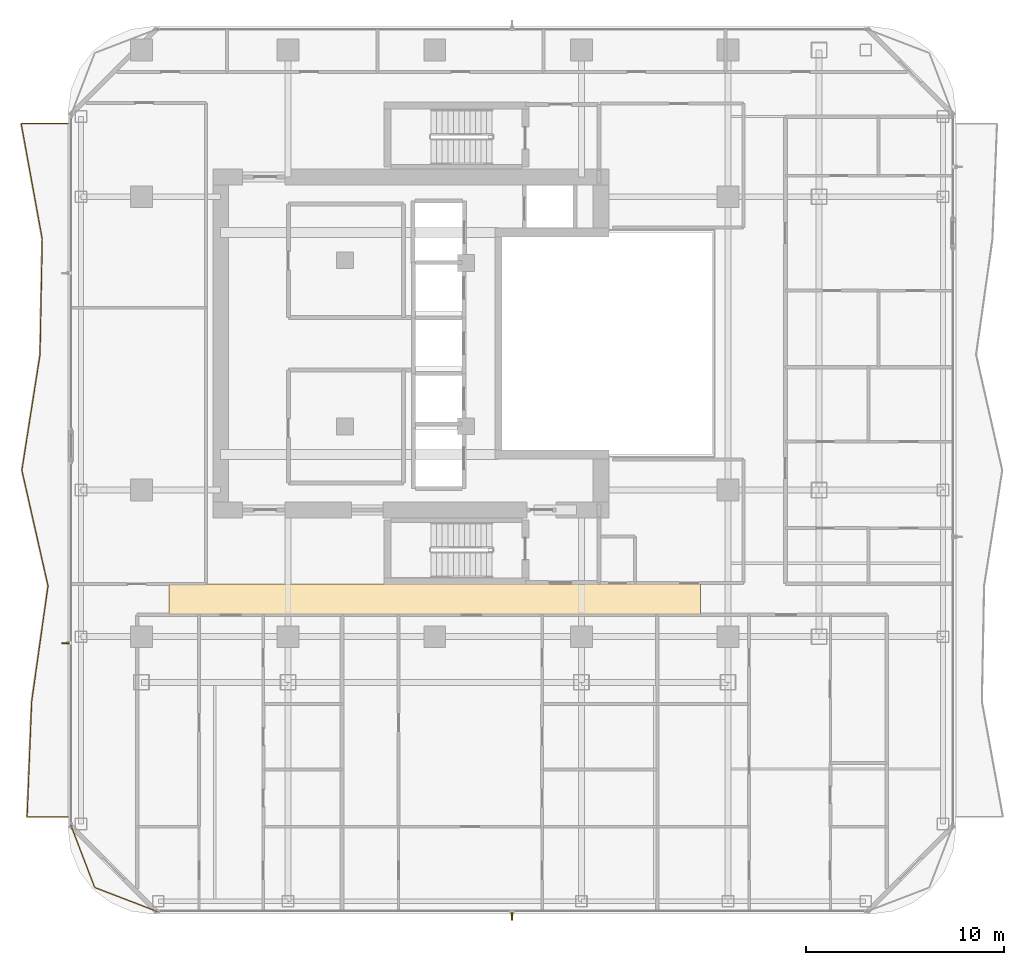
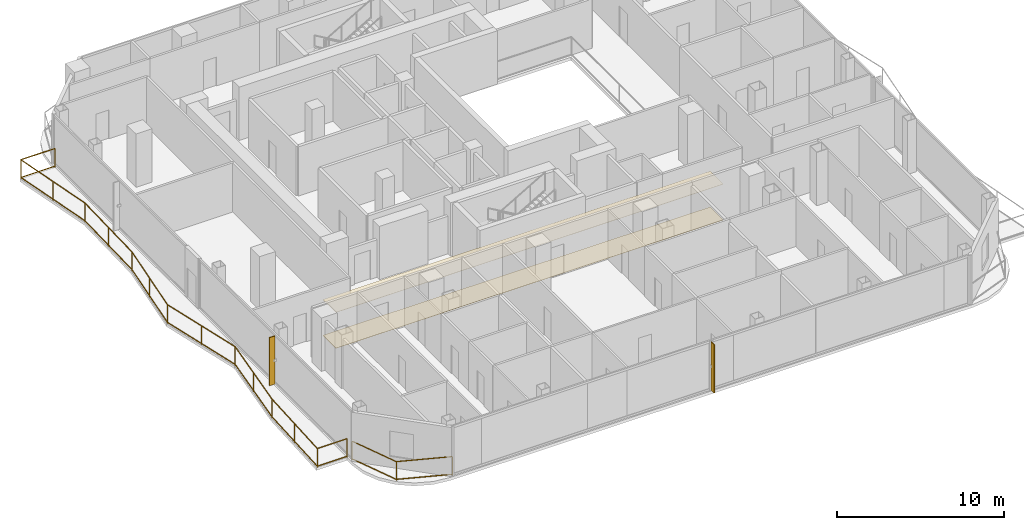
# One storey, part 25 of 27: 2 coverings, 2 railings, 2 shading devices.
"""IFC4 building model written with IfcOpenShell, lengths in metres."""

from ifc_helpers import new_model, si_unit, direction, frame, origin, origin_2d, place, context, subcontext, project, spatial, polyline, rectangle, outline, extrude, material, layer, layer_set, type_object, element, save


model = new_model("IFC4")

# Units and contexts
model_context = context("Model", 3, precision=1e-05, world=origin(), true_north=direction((0.0, 1.0)))
body_context = subcontext(model_context, "Body", "Model", "MODEL_VIEW")
ifc_project = project(units=[si_unit("LENGTHUNIT", "METRE"), si_unit("AREAUNIT", "SQUARE_METRE"), si_unit("VOLUMEUNIT", "CUBIC_METRE"), si_unit("PLANEANGLEUNIT", "RADIAN"), si_unit("MASSUNIT", "GRAM", prefix="KILO")], contexts=[model_context])

# Site, building, storey
site_placement = place(None, origin())
site = spatial("IfcSite", under=ifc_project, at=site_placement, CompositionType="ELEMENT")
building_placement = place(site_placement, origin())
building = spatial("IfcBuilding", under=site, at=building_placement, Name="Khorvyn Point Tower", CompositionType="ELEMENT")
storey_placement = place(building_placement, frame((0.0, 0.0, 231.300048828125)))
storey = spatial("IfcBuildingStorey", under=building, at=storey_placement, Name="L57", CompositionType="ELEMENT", Elevation=231.300048828125)

# Shading devices
ifc_material_1 = material(Name="Bronze anodised aluminium 6063-T6", Category="aluminium")
ifc_layer_1 = layer(ifc_material_1, 0.06494140625)
ifc_layer_set_1 = layer_set([ifc_layer_1], Name="Bronze Anodised Aluminium FIN 380x65")
shading_device_type = type_object("IfcShadingDeviceType", Name="Bronze Anodised Aluminium FIN 380x65", PredefinedType="USERDEFINED", material=ifc_layer_set_1)
for number, where, z_axis, x_axis, name in (
    (1, (3.89990234375, -28.929931640625, 0.0400390625), (0.0, 0.0, 1.0), (0.0, -1.0, 0.0), "L57 Anodised FIN 01"),
    (2, (-18.6298828125, -15.125, 0.0400390625), (0.0, 0.0, 1.0), (-1.0, 0.0, 0.0), "L57 Anodised FIN 01"),
):
    element("IfcShadingDevice", number, at=place(storey_placement, frame(where, z_axis=z_axis, x_axis=x_axis)), inside=storey, type_object=shading_device_type, Name=name, ObjectType="FIN", PredefinedType="USERDEFINED", context=body_context, shape_type="SweptSolid", body=[
        extrude(rectangle(XDim=0.3798828125, YDim=0.06494140625, at=origin_2d()), origin(), (0.0, 0.0, 1.0), 3.52001953125),
    ])

# Railings
ifc_material_2 = material(Name="Anodised aluminium 6063-T6 and laminated safety glass", Category="aluminium")
railing_type = type_object("IfcRailingType", Name="Laminated Glass and Aluminium Balcony Guardrail 1400", PredefinedType="BALUSTRADE", material=ifc_material_2)
railing_1_placement = place(storey_placement, frame((-18.374267578125, -24.28125, 0.0)))
element("IfcRailing", 3, at=railing_1_placement, inside=storey, type_object=railing_type, Name="L57 Rounded Corner Edge Guardrail SW", PredefinedType="BALUSTRADE", context=body_context, shape_type="SweptSolid", body=[
    extrude(rectangle(XDim=0.048095703125, YDim=0.048095703125, at=origin_2d()), frame((0.0, 0.0, 1.3759765625), z_axis=(0.358343916815, -0.933589651443, 0.0), x_axis=(0.933589651443, 0.358343916815, 0.0)), (0.0, 0.0, 1.0), 3.400390625),
    extrude(rectangle(XDim=0.048095703125, YDim=0.048095703125, at=origin_2d()), frame((0.0, 0.0, 0.080078125), z_axis=(0.358343916815, -0.933589651443, 0.0), x_axis=(0.933589651443, 0.358343916815, 0.0)), (0.0, 0.0, 1.0), 3.400390625),
    extrude(rectangle(XDim=0.048095703125, YDim=0.048095703125, at=origin_2d()), frame((1.218505859375, -3.174560546875, 1.3759765625), z_axis=(0.933589651443, -0.358343916815, 0.0), x_axis=(0.358343916815, 0.933589651443, 0.0)), (0.0, 0.0, 1.0), 3.400390625),
    extrude(rectangle(XDim=0.048095703125, YDim=0.048095703125, at=origin_2d()), frame((1.218505859375, -3.174560546875, 0.080078125), z_axis=(0.933589651443, -0.358343916815, 0.0), x_axis=(0.358343916815, 0.933589651443, 0.0)), (0.0, 0.0, 1.0), 3.400390625),
    extrude(rectangle(XDim=0.0419921875, YDim=0.0419921875, at=origin_2d()), origin(), (0.0, 0.0, 1.0), 1.351806640625),
    extrude(rectangle(XDim=0.0419921875, YDim=0.0419921875, at=origin_2d()), frame((1.218505859375, -3.174560546875, 0.0)), (0.0, 0.0, 1.0), 1.351806640625),
    extrude(rectangle(XDim=0.0419921875, YDim=0.0419921875, at=origin_2d()), frame((4.39306640625, -4.39306640625, 0.0)), (0.0, 0.0, 1.0), 1.351806640625),
])
railing_2_placement = place(storey_placement, frame((-18.5, 11.10009765625, 0.0)))
element("IfcRailing", 4, at=railing_2_placement, inside=storey, type_object=railing_type, Name="L57 West Balcony Guardrail", PredefinedType="BALUSTRADE", context=body_context, shape_type="SweptSolid", body=[
    extrude(rectangle(XDim=0.048095703125, YDim=0.048095703125, at=origin_2d()), frame((0.0, 0.0, 1.3759765625), z_axis=(-1.0, 0.0, 0.0), x_axis=(0.0, -1.0, 0.0)), (0.0, 0.0, 1.0), 2.36669921875),
    extrude(rectangle(XDim=0.048095703125, YDim=0.048095703125, at=origin_2d()), frame((0.0, 0.0, 0.080078125), z_axis=(-1.0, 0.0, 0.0), x_axis=(0.0, -1.0, 0.0)), (0.0, 0.0, 1.0), 2.36669921875),
    extrude(rectangle(XDim=0.048095703125, YDim=0.048095703125, at=origin_2d()), frame((-2.36669921875, 0.0, 1.3759765625), z_axis=(0.179349189969, -0.983785478678, 0.0), x_axis=(0.983785478678, 0.179349189969, 0.0)), (0.0, 0.0, 1.0), 5.9296875),
    extrude(rectangle(XDim=0.048095703125, YDim=0.048095703125, at=origin_2d()), frame((-2.36669921875, 0.0, 0.080078125), z_axis=(0.179349189969, -0.983785478678, 0.0), x_axis=(0.983785478678, 0.179349189969, 0.0)), (0.0, 0.0, 1.0), 5.9296875),
    extrude(rectangle(XDim=0.048095703125, YDim=0.048095703125, at=origin_2d()), frame((-1.30322265625, -5.83349609375, 1.3759765625), z_axis=(-0.01924893367, -0.999814722112, 0.0), x_axis=(0.999814722112, -0.01924893367, 0.0)), (0.0, 0.0, 1.0), 5.834228515625),
    extrude(rectangle(XDim=0.048095703125, YDim=0.048095703125, at=origin_2d()), frame((-1.30322265625, -5.83349609375, 0.080078125), z_axis=(-0.01924893367, -0.999814722112, 0.0), x_axis=(0.999814722112, -0.01924893367, 0.0)), (0.0, 0.0, 1.0), 5.834228515625),
    extrude(rectangle(XDim=0.048095703125, YDim=0.048095703125, at=origin_2d()), frame((-1.41552734375, -11.666748046875, 1.3759765625), z_axis=(-0.155011288159, -0.987912698847, 0.0), x_axis=(0.987912698847, -0.155011288159, 0.0)), (0.0, 0.0, 1.0), 5.904541015625),
    extrude(rectangle(XDim=0.048095703125, YDim=0.048095703125, at=origin_2d()), frame((-1.41552734375, -11.666748046875, 0.080078125), z_axis=(-0.155011288159, -0.987912698847, 0.0), x_axis=(0.987912698847, -0.155011288159, 0.0)), (0.0, 0.0, 1.0), 5.904541015625),
    extrude(rectangle(XDim=0.048095703125, YDim=0.048095703125, at=origin_2d()), frame((-2.330810546875, -17.5, 1.3759765625), z_axis=(0.220594131917, -0.975365689864, 0.0), x_axis=(0.975365689864, 0.220594131917, 0.0)), (0.0, 0.0, 1.0), 5.980712890625),
    extrude(rectangle(XDim=0.048095703125, YDim=0.048095703125, at=origin_2d()), frame((-2.330810546875, -17.5, 0.080078125), z_axis=(0.220594131917, -0.975365689864, 0.0), x_axis=(0.975365689864, 0.220594131917, 0.0)), (0.0, 0.0, 1.0), 5.980712890625),
    extrude(rectangle(XDim=0.048095703125, YDim=0.048095703125, at=origin_2d()), frame((-1.011474609375, -23.33349609375, 1.3759765625), z_axis=(-0.139947544031, -0.990158919022, 0.0), x_axis=(0.990158919022, -0.139947544031, 0.0)), (0.0, 0.0, 1.0), 5.89111328125),
    extrude(rectangle(XDim=0.048095703125, YDim=0.048095703125, at=origin_2d()), frame((-1.011474609375, -23.33349609375, 0.080078125), z_axis=(-0.139947544031, -0.990158919022, 0.0), x_axis=(0.990158919022, -0.139947544031, 0.0)), (0.0, 0.0, 1.0), 5.89111328125),
    extrude(rectangle(XDim=0.048095703125, YDim=0.048095703125, at=origin_2d()), frame((-1.8359375, -29.166748046875, 1.3759765625), z_axis=(-0.039770961789, -0.999208822318, 0.0), x_axis=(0.999208822318, -0.039770961789, 0.0)), (0.0, 0.0, 1.0), 5.837890625),
    extrude(rectangle(XDim=0.048095703125, YDim=0.048095703125, at=origin_2d()), frame((-1.8359375, -29.166748046875, 0.080078125), z_axis=(-0.039770961789, -0.999208822318, 0.0), x_axis=(0.999208822318, -0.039770961789, 0.0)), (0.0, 0.0, 1.0), 5.837890625),
    extrude(rectangle(XDim=0.048095703125, YDim=0.048095703125, at=origin_2d()), frame((-2.068115234375, -35.0, 1.3759765625), z_axis=(1.0, 0.0, 0.0), x_axis=(0.0, 1.0, 0.0)), (0.0, 0.0, 1.0), 2.068115234375),
    extrude(rectangle(XDim=0.048095703125, YDim=0.048095703125, at=origin_2d()), frame((-2.068115234375, -35.0, 0.080078125), z_axis=(1.0, 0.0, 0.0), x_axis=(0.0, 1.0, 0.0)), (0.0, 0.0, 1.0), 2.068115234375),
    extrude(rectangle(XDim=0.0419921875, YDim=0.0419921875, at=origin_2d()), origin(), (0.0, 0.0, 1.0), 1.351806640625),
    extrude(rectangle(XDim=0.0419921875, YDim=0.0419921875, at=origin_2d()), frame((-2.36669921875, 0.0, 0.0)), (0.0, 0.0, 1.0), 1.351806640625),
    extrude(rectangle(XDim=0.0419921875, YDim=0.0419921875, at=origin_2d()), frame((-1.8349609375, -2.916748046875, 0.0)), (0.0, 0.0, 1.0), 1.351806640625),
    extrude(rectangle(XDim=0.0419921875, YDim=0.0419921875, at=origin_2d()), frame((-1.30322265625, -5.83349609375, 0.0)), (0.0, 0.0, 1.0), 1.351806640625),
    extrude(rectangle(XDim=0.0419921875, YDim=0.0419921875, at=origin_2d()), frame((-1.359375, -8.75, 0.0)), (0.0, 0.0, 1.0), 1.351806640625),
    extrude(rectangle(XDim=0.0419921875, YDim=0.0419921875, at=origin_2d()), frame((-1.41552734375, -11.666748046875, 0.0)), (0.0, 0.0, 1.0), 1.351806640625),
    extrude(rectangle(XDim=0.0419921875, YDim=0.0419921875, at=origin_2d()), frame((-1.873046875, -14.58349609375, 0.0)), (0.0, 0.0, 1.0), 1.351806640625),
    extrude(rectangle(XDim=0.0419921875, YDim=0.0419921875, at=origin_2d()), frame((-2.330810546875, -17.5, 0.0)), (0.0, 0.0, 1.0), 1.351806640625),
    extrude(rectangle(XDim=0.0419921875, YDim=0.0419921875, at=origin_2d()), frame((-1.671142578125, -20.416748046875, 0.0)), (0.0, 0.0, 1.0), 1.351806640625),
    extrude(rectangle(XDim=0.0419921875, YDim=0.0419921875, at=origin_2d()), frame((-1.011474609375, -23.33349609375, 0.0)), (0.0, 0.0, 1.0), 1.351806640625),
    extrude(rectangle(XDim=0.0419921875, YDim=0.0419921875, at=origin_2d()), frame((-1.423828125, -26.25, 0.0)), (0.0, 0.0, 1.0), 1.351806640625),
    extrude(rectangle(XDim=0.0419921875, YDim=0.0419921875, at=origin_2d()), frame((-1.8359375, -29.166748046875, 0.0)), (0.0, 0.0, 1.0), 1.351806640625),
    extrude(rectangle(XDim=0.0419921875, YDim=0.0419921875, at=origin_2d()), frame((-1.9521484375, -32.08349609375, 0.0)), (0.0, 0.0, 1.0), 1.351806640625),
    extrude(rectangle(XDim=0.0419921875, YDim=0.0419921875, at=origin_2d()), frame((-2.068115234375, -35.0, 0.0)), (0.0, 0.0, 1.0), 1.351806640625),
    extrude(rectangle(XDim=0.0419921875, YDim=0.0419921875, at=origin_2d()), frame((0.0, -35.0, 0.0)), (0.0, 0.0, 1.0), 1.351806640625),
])

# Coverings
ifc_material_3 = material(Name="Mineral-fibre acoustic ceiling board", Category="gypsum")
ifc_layer_2 = layer(ifc_material_3, 0.02001953125)
ifc_layer_set_2 = layer_set([ifc_layer_2], Name="Perforated Mineral-Fibre Acoustic Suspended Ceiling 20")
covering_type_1 = type_object("IfcCoveringType", Name="Perforated Mineral-Fibre Acoustic Suspended Ceiling 20", PredefinedType="CEILING", material=ifc_layer_set_2)
covering_1_placement = place(storey_placement, frame((0.0, 0.0, 2.619873046875)))
element("IfcCovering", 5, at=covering_1_placement, inside=storey, type_object=covering_type_1, Name="L57 South Corridor Acoustic Ceiling", PredefinedType="CEILING", context=body_context, shape_type="SweptSolid", body=[
    extrude(outline(polyline([(-13.39990234375, -13.7099609375), (13.39990234375, -13.7099609375), (13.39990234375, -12.139892578125), (-13.39990234375, -12.139892578125), (-13.39990234375, -13.7099609375)])), origin(), (0.0, 0.0, 1.0), 0.02001953125),
])
ifc_material_4 = material(Name="Vitrified porcelain terrazzo tile", Category="ceramic")
ifc_layer_3 = layer(ifc_material_4, 0.01806640625)
ifc_layer_set_3 = layer_set([ifc_layer_3], Name="Porcelain Terrazzo Corridor Floor Finish Tile 18")
covering_type_2 = type_object("IfcCoveringType", Name="Porcelain Terrazzo Corridor Floor Finish Tile 18", PredefinedType="FLOORING", material=ifc_layer_set_3)
covering_2_placement = place(storey_placement, origin())
element("IfcCovering", 6, at=covering_2_placement, inside=storey, type_object=covering_type_2, Name="L57 South Corridor Terrazzo Flooring", PredefinedType="FLOORING", context=body_context, shape_type="SweptSolid", body=[
    extrude(outline(polyline([(-13.39990234375, -13.7099609375), (13.39990234375, -13.7099609375), (13.39990234375, -12.139892578125), (-13.39990234375, -12.139892578125), (-13.39990234375, -13.7099609375)])), origin(), (0.0, 0.0, 1.0), 0.01806640625),
])

save(model, "model.ifc")
